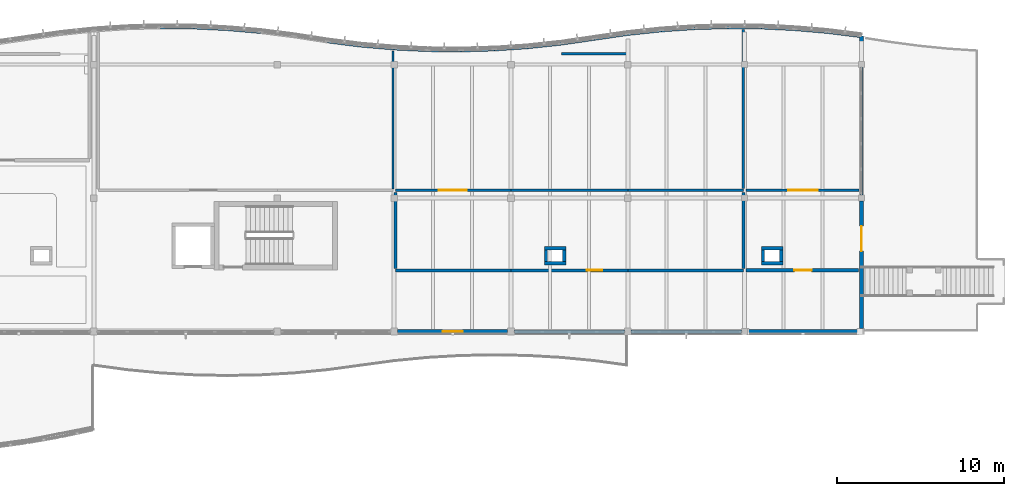
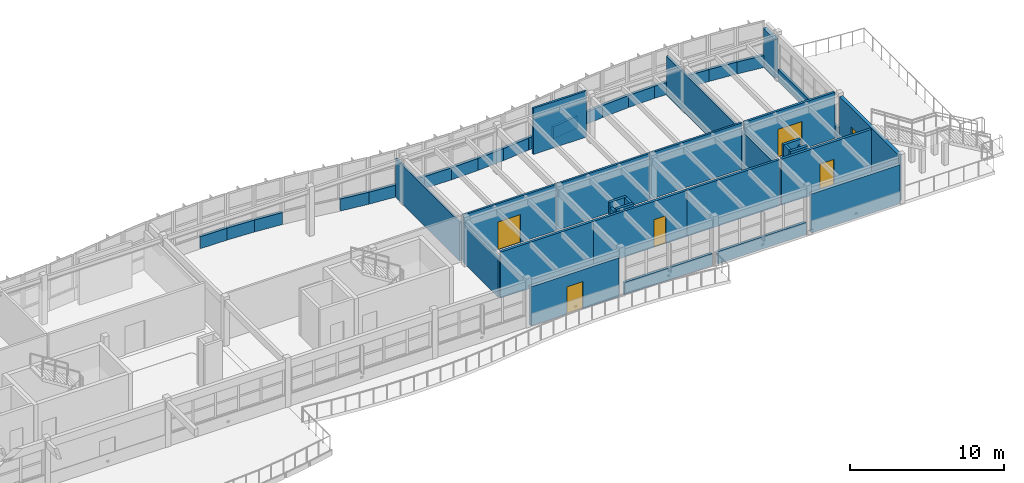
# One storey, part 33 of 52: 47 walls, 6 doors, 6 openings.
"""IFC4 building model written with IfcOpenShell, lengths in metres."""

from ifc_helpers import new_model, si_unit, direction, frame, frame_2d, origin, place, context, subcontext, project, spatial, rectangle, extrude, material, layer, layer_set, type_object, element, fill, save


model = new_model("IFC4")

# Units and contexts
model_context = context("Model", 3, precision=1e-05, world=origin(), true_north=direction((0.0, 1.0)))
body_context = subcontext(model_context, "Body", "Model", "MODEL_VIEW")
ifc_project = project(units=[si_unit("LENGTHUNIT", "METRE"), si_unit("AREAUNIT", "SQUARE_METRE"), si_unit("VOLUMEUNIT", "CUBIC_METRE"), si_unit("PLANEANGLEUNIT", "RADIAN"), si_unit("MASSUNIT", "GRAM", prefix="KILO")], contexts=[model_context])

# Site, building, storey
site_placement = place(None, origin())
site = spatial("IfcSite", under=ifc_project, at=site_placement, CompositionType="ELEMENT")
building_placement = place(site_placement, origin())
building = spatial("IfcBuilding", under=site, at=building_placement, Name="Tonlespit Floodbar School", CompositionType="ELEMENT")
storey_placement = place(building_placement, frame((0.0, 0.0, 12.300048828125)))
storey = spatial("IfcBuildingStorey", under=building, at=storey_placement, Name="L03", CompositionType="ELEMENT", Elevation=12.300048828125)

# Wall
ifc_material_1 = material(Name="Precast concrete C40/50", Category="concrete")
ifc_layer_1 = layer(ifc_material_1, 0.239990234375)
ifc_layer_set_1 = layer_set([ifc_layer_1], Name="Precast concrete C40/50")
wall_type_1 = type_object("IfcWallType", Name="ExtWall_Rainscreen_240", PredefinedType="SOLIDWALL", material=ifc_layer_set_1)
wall_1_placement = place(storey_placement, frame((162.0, 121.705810546875, 0.0), z_axis=(0.0, 0.0, 1.0), x_axis=(0.0, -1.0, 0.0)))
element("IfcWall", 1, at=wall_1_placement, inside=storey, type_object=wall_type_1, Name="L03 external wall 0653", PredefinedType="SOLIDWALL", context=body_context, shape_type="SweptSolid", body=[
    extrude(rectangle(XDim=1.52587890625, YDim=0.239990234375, at=frame_2d((0.762939453125, 0.0))), origin(), (0.0, 0.0, 1.0), 3.087890625),
])

# Wall, opening, door
wall_2_placement = place(storey_placement, frame((162.0, 111.820068359375, 0.0), z_axis=(0.0, 0.0, 1.0), x_axis=(0.0, -1.0, 0.0)))
wall_2 = element("IfcWall", 2, at=wall_2_placement, inside=storey, type_object=wall_type_1, Name="L03 external wall 0655", PredefinedType="SOLIDWALL", context=body_context, shape_type="SweptSolid", body=[
    extrude(rectangle(XDim=7.64013671875, YDim=0.239990234375, at=frame_2d((3.820068359375, 0.0))), origin(), (0.0, 0.0, 1.0), 3.64990234375),
])
opening_1_placement = place(wall_2_placement, frame((1.5, 0.0, 0.0)))
opening_1 = element("IfcOpeningElement", 3, at=opening_1_placement, cuts=wall_2, Name="Opening D-TR-034", PredefinedType="OPENING", context=body_context, shape_type="SweptSolid", body=[
    extrude(rectangle(XDim=1.5, YDim=2.14990234375, at=frame_2d((0.75, 1.074951171875))), frame((0.0, 0.1298828125, 0.0), z_axis=(0.0, -1.0, 0.0), x_axis=(1.0, 0.0, 0.0)), (0.0, 0.0, 1.0), 0.260009765625),
])
ifc_material_2 = material(Name="Anodised Aluminium", Category="aluminium")
door_type_1 = type_object("IfcDoorType", Name="ExtDoor_Terrace_1500x2150", OperationType="NOTDEFINED", PredefinedType="DOOR", material=ifc_material_2)
door_1_placement = place(opening_1_placement, origin())
door_1 = element("IfcDoor", 4, at=door_1_placement, inside=storey, type_object=door_type_1, Name="L03 exterior door D-TR-034", OperationType="SINGLE_SWING_RIGHT", OverallHeight=2.14990234375, OverallWidth=1.5, PredefinedType="DOOR", context=body_context, shape_type="SweptSolid", body=[
    extrude(rectangle(XDim=1.5, YDim=2.14990234375, at=frame_2d((0.75, 1.074951171875))), frame((0.0, 0.02490234375, 0.0), z_axis=(0.0, -1.0, 0.0), x_axis=(1.0, 0.0, 0.0)), (0.0, 0.0, 1.0), 0.050048828125),
])
fill(opening_1, door_1)

# Wall
wall_3_placement = place(storey_placement, frame((161.820068359375, 104.0, 0.0), z_axis=(0.0, 0.0, 1.0), x_axis=(-1.0, 0.0, 0.0)))
element("IfcWall", 5, at=wall_3_placement, inside=storey, type_object=wall_type_1, Name="L03 external wall 0656", PredefinedType="SOLIDWALL", context=body_context, shape_type="SweptSolid", body=[
    extrude(rectangle(XDim=6.64013671875, YDim=0.239990234375, at=frame_2d((3.320068359375, 0.0))), origin(), (0.0, 0.0, 1.0), 3.087890625),
])

# Wall, opening, door
wall_4_placement = place(storey_placement, frame((140.800048828125, 104.0, 0.0), z_axis=(0.0, 0.0, 1.0), x_axis=(-1.0, 0.0, 0.0)))
wall_4 = element("IfcWall", 6, at=wall_4_placement, inside=storey, type_object=wall_type_1, Name="L03 external wall 0659", PredefinedType="SOLIDWALL", context=body_context, shape_type="SweptSolid", body=[
    extrude(rectangle(XDim=6.60009765625, YDim=0.239990234375, at=frame_2d((3.300048828125, 0.0))), origin(), (0.0, 0.0, 1.0), 3.0849609375),
])
opening_2_placement = place(wall_4_placement, frame((2.699951171875, 0.0, 0.0)))
opening_2 = element("IfcOpeningElement", 7, at=opening_2_placement, cuts=wall_4, Name="Opening D-TR-035", PredefinedType="OPENING", context=body_context, shape_type="SweptSolid", body=[
    extrude(rectangle(XDim=1.199951171875, YDim=2.14990234375, at=frame_2d((0.60009765625, 1.074951171875))), frame((0.0, 0.1298828125, 0.0), z_axis=(0.0, -1.0, 0.0), x_axis=(1.0, 0.0, 0.0)), (0.0, 0.0, 1.0), 0.260009765625),
])
door_type_2 = type_object("IfcDoorType", Name="ExtDoor_Terrace_1200x2150", OperationType="NOTDEFINED", PredefinedType="DOOR", material=ifc_material_2)
door_2_placement = place(opening_2_placement, origin())
door_2 = element("IfcDoor", 8, at=door_2_placement, inside=storey, type_object=door_type_2, Name="L03 exterior door D-TR-035", OperationType="SINGLE_SWING_LEFT", OverallHeight=2.14990234375, OverallWidth=1.199951171875, PredefinedType="DOOR", context=body_context, shape_type="SweptSolid", body=[
    extrude(rectangle(XDim=1.199951171875, YDim=2.14990234375, at=frame_2d((0.60009765625, 1.074951171875))), frame((0.0, 0.02490234375, 0.0), z_axis=(0.0, -1.0, 0.0), x_axis=(1.0, 0.0, 0.0)), (0.0, 0.0, 1.0), 0.050048828125),
])
fill(opening_2, door_2)

# Walls
ifc_material_3 = material(Name="White Architectural Precast concrete C40/50", Category="concrete")
ifc_layer_2 = layer(ifc_material_3, 0.18505859375)
ifc_layer_set_2 = layer_set([ifc_layer_2], Name="White Architectural Precast concrete C40/50")
wall_type_2 = type_object("IfcWallType", Name="ExtWall_Spandrel_White_185", PredefinedType="SOLIDWALL", material=ifc_layer_set_2)
wall_5_placement = place(storey_placement, frame((162.0, 119.820068359375, 0.0), z_axis=(0.0, 0.0, 1.0), x_axis=(0.0, -1.0, 0.0)))
element("IfcWall", 9, at=wall_5_placement, inside=storey, type_object=wall_type_2, Name="L03 spandrel wall 0654", PredefinedType="SOLIDWALL", context=body_context, shape_type="SweptSolid", body=[
    extrude(rectangle(XDim=7.64013671875, YDim=0.18505859375, at=frame_2d((3.820068359375, 0.0))), origin(), (0.0, 0.0, 1.0), 0.949951171875),
])
ifc_layer_3 = layer(ifc_material_3, 0.199951171875)
ifc_layer_set_3 = layer_set([ifc_layer_3], Name="White Architectural Precast concrete C40/50")
wall_type_3 = type_object("IfcWallType", Name="ExtWall_Spandrel_White_200", PredefinedType="SOLIDWALL", material=ifc_layer_set_3)
wall_6_placement = place(storey_placement, frame((120.0, 122.2470703125, 0.0), z_axis=(0.0, 0.0, 1.0), x_axis=(0.999953504169, -0.009643106302, 0.0)))
element("IfcWall", 10, at=wall_6_placement, inside=storey, type_object=wall_type_3, Name="L03 spandrel wall 0632", PredefinedType="SOLIDWALL", context=body_context, shape_type="SweptSolid", body=[
    extrude(rectangle(XDim=2.0, YDim=0.199951171875, at=frame_2d((1.0, 0.0))), origin(), (0.0, 0.0, 1.0), 0.949951171875),
])
wall_7_placement = place(storey_placement, frame((122.0, 122.227783203125, 0.0), z_axis=(0.0, 0.0, 1.0), x_axis=(0.99884540439, -0.048040172037, 0.0)))
element("IfcWall", 11, at=wall_7_placement, inside=storey, type_object=wall_type_3, Name="L03 spandrel wall 0633", PredefinedType="SOLIDWALL", context=body_context, shape_type="SweptSolid", body=[
    extrude(rectangle(XDim=2.002197265625, YDim=0.199951171875, at=frame_2d((1.0009765625, 0.0))), origin(), (0.0, 0.0, 1.0), 0.949951171875),
])
wall_8_placement = place(storey_placement, frame((124.0, 122.131591796875, 0.0), z_axis=(0.0, 0.0, 1.0), x_axis=(0.996244237948, -0.086587633962, 0.0)))
element("IfcWall", 12, at=wall_8_placement, inside=storey, type_object=wall_type_3, Name="L03 spandrel wall 0634", PredefinedType="SOLIDWALL", context=body_context, shape_type="SweptSolid", body=[
    extrude(rectangle(XDim=2.007568359375, YDim=0.199951171875, at=frame_2d((1.00390625, 0.0))), origin(), (0.0, 0.0, 1.0), 0.949951171875),
])
wall_9_placement = place(storey_placement, frame((130.0, 121.394287109375, 0.0), z_axis=(0.0, 0.0, 1.0), x_axis=(0.992158168336, -0.124988675503, 0.0)))
element("IfcWall", 13, at=wall_9_placement, inside=storey, type_object=wall_type_3, Name="L03 spandrel wall 0637", PredefinedType="SOLIDWALL", context=body_context, shape_type="SweptSolid", body=[
    extrude(rectangle(XDim=2.015869140625, YDim=0.199951171875, at=frame_2d((1.0078125, 0.0))), origin(), (0.0, 0.0, 1.0), 0.949951171875),
])
wall_10_placement = place(storey_placement, frame((132.0, 121.142333984375, 0.0), z_axis=(0.0, 0.0, 1.0), x_axis=(0.996244237948, -0.086587633962, 0.0)))
element("IfcWall", 14, at=wall_10_placement, inside=storey, type_object=wall_type_3, Name="L03 spandrel wall 0638", PredefinedType="SOLIDWALL", context=body_context, shape_type="SweptSolid", body=[
    extrude(rectangle(XDim=2.007568359375, YDim=0.199951171875, at=frame_2d((1.00390625, 0.0))), origin(), (0.0, 0.0, 1.0), 0.949951171875),
])
wall_11_placement = place(storey_placement, frame((134.0, 120.968505859375, 0.0), z_axis=(0.0, 0.0, 1.0), x_axis=(0.99884540439, -0.048040172037, 0.0)))
element("IfcWall", 15, at=wall_11_placement, inside=storey, type_object=wall_type_3, Name="L03 spandrel wall 0639", PredefinedType="SOLIDWALL", context=body_context, shape_type="SweptSolid", body=[
    extrude(rectangle(XDim=2.002197265625, YDim=0.199951171875, at=frame_2d((1.0009765625, 0.0))), origin(), (0.0, 0.0, 1.0), 0.949951171875),
])
wall_12_placement = place(storey_placement, frame((136.0, 120.872314453125, 0.0), z_axis=(0.0, 0.0, 1.0), x_axis=(0.999953504169, -0.009643106302, 0.0)))
element("IfcWall", 16, at=wall_12_placement, inside=storey, type_object=wall_type_3, Name="L03 spandrel wall 0640", PredefinedType="SOLIDWALL", context=body_context, shape_type="SweptSolid", body=[
    extrude(rectangle(XDim=2.0, YDim=0.199951171875, at=frame_2d((1.0, 0.0))), origin(), (0.0, 0.0, 1.0), 0.949951171875),
])
wall_13_placement = place(storey_placement, frame((138.0, 120.85302734375, 0.0), z_axis=(0.0, 0.0, 1.0), x_axis=(0.999585290582, 0.028796646555, 0.0)))
element("IfcWall", 17, at=wall_13_placement, inside=storey, type_object=wall_type_3, Name="L03 spandrel wall 0641", PredefinedType="SOLIDWALL", context=body_context, shape_type="SweptSolid", body=[
    extrude(rectangle(XDim=2.000732421875, YDim=0.199951171875, at=frame_2d((1.00048828125, 0.0))), origin(), (0.0, 0.0, 1.0), 0.949951171875),
])
wall_14_placement = place(storey_placement, frame((140.0, 120.91064453125, 0.0), z_axis=(0.0, 0.0, 1.0), x_axis=(0.997729302978, 0.067351599676, 0.0)))
element("IfcWall", 18, at=wall_14_placement, inside=storey, type_object=wall_type_3, Name="L03 spandrel wall 0642", PredefinedType="SOLIDWALL", context=body_context, shape_type="SweptSolid", body=[
    extrude(rectangle(XDim=2.004638671875, YDim=0.199951171875, at=frame_2d((1.00244140625, 0.0))), origin(), (0.0, 0.0, 1.0), 0.949951171875),
])
wall_15_placement = place(storey_placement, frame((142.0, 121.045654296875, 0.0), z_axis=(0.0, 0.0, 1.0), x_axis=(0.994395160059, 0.105727317433, 0.0)))
element("IfcWall", 19, at=wall_15_placement, inside=storey, type_object=wall_type_3, Name="L03 spandrel wall 0643", PredefinedType="SOLIDWALL", context=body_context, shape_type="SweptSolid", body=[
    extrude(rectangle(XDim=2.01123046875, YDim=0.199951171875, at=frame_2d((1.005615234375, 0.0))), origin(), (0.0, 0.0, 1.0), 0.949951171875),
])
for number, where, z_axis, x_axis, name in (
    (20, (144.0, 121.25830078125, 0.0), (0.0, 0.0, 1.0), (0.989527230727, 0.144346318447, 0.0), "L03 spandrel wall 0644"),
    (21, (146.0, 121.550048828125, 0.0), (0.0, 0.0, 1.0), (0.989544477223, 0.144228040259, 0.0), "L03 spandrel wall 0645"),
):
    element("IfcWall", number, at=place(storey_placement, frame(where, z_axis=z_axis, x_axis=x_axis)), inside=storey, type_object=wall_type_3, Name=name, PredefinedType="SOLIDWALL", context=body_context, shape_type="SweptSolid", body=[
        extrude(rectangle(XDim=2.021240234375, YDim=0.199951171875, at=frame_2d((1.0107421875, 0.0))), origin(), (0.0, 0.0, 1.0), 0.949951171875),
    ])
wall_16_placement = place(storey_placement, frame((148.0, 121.841552734375, 0.0), z_axis=(0.0, 0.0, 1.0), x_axis=(0.994395160059, 0.105727317433, 0.0)))
element("IfcWall", 22, at=wall_16_placement, inside=storey, type_object=wall_type_3, Name="L03 spandrel wall 0646", PredefinedType="SOLIDWALL", context=body_context, shape_type="SweptSolid", body=[
    extrude(rectangle(XDim=2.01123046875, YDim=0.199951171875, at=frame_2d((1.005615234375, 0.0))), origin(), (0.0, 0.0, 1.0), 0.949951171875),
])
wall_17_placement = place(storey_placement, frame((150.0, 122.05419921875, 0.0), z_axis=(0.0, 0.0, 1.0), x_axis=(0.997729302978, 0.067351599676, 0.0)))
element("IfcWall", 23, at=wall_17_placement, inside=storey, type_object=wall_type_3, Name="L03 spandrel wall 0647", PredefinedType="SOLIDWALL", context=body_context, shape_type="SweptSolid", body=[
    extrude(rectangle(XDim=2.004638671875, YDim=0.199951171875, at=frame_2d((1.00244140625, 0.0))), origin(), (0.0, 0.0, 1.0), 0.949951171875),
])
wall_18_placement = place(storey_placement, frame((152.0, 122.189208984375, 0.0), z_axis=(0.0, 0.0, 1.0), x_axis=(0.999581770858, 0.028918564416, 0.0)))
element("IfcWall", 24, at=wall_18_placement, inside=storey, type_object=wall_type_3, Name="L03 spandrel wall 0648", PredefinedType="SOLIDWALL", context=body_context, shape_type="SweptSolid", body=[
    extrude(rectangle(XDim=2.000732421875, YDim=0.199951171875, at=frame_2d((1.00048828125, 0.0))), origin(), (0.0, 0.0, 1.0), 0.949951171875),
])
wall_19_placement = place(storey_placement, frame((154.0, 122.2470703125, 0.0), z_axis=(0.0, 0.0, 1.0), x_axis=(0.999953504169, -0.009643106302, 0.0)))
element("IfcWall", 25, at=wall_19_placement, inside=storey, type_object=wall_type_3, Name="L03 spandrel wall 0649", PredefinedType="SOLIDWALL", context=body_context, shape_type="SweptSolid", body=[
    extrude(rectangle(XDim=2.0, YDim=0.199951171875, at=frame_2d((1.0, 0.0))), origin(), (0.0, 0.0, 1.0), 0.949951171875),
])
wall_20_placement = place(storey_placement, frame((156.0, 122.227783203125, 0.0), z_axis=(0.0, 0.0, 1.0), x_axis=(0.99884540439, -0.048040172037, 0.0)))
element("IfcWall", 26, at=wall_20_placement, inside=storey, type_object=wall_type_3, Name="L03 spandrel wall 0650", PredefinedType="SOLIDWALL", context=body_context, shape_type="SweptSolid", body=[
    extrude(rectangle(XDim=2.002197265625, YDim=0.199951171875, at=frame_2d((1.0009765625, 0.0))), origin(), (0.0, 0.0, 1.0), 0.949951171875),
])
wall_21_placement = place(storey_placement, frame((158.0, 122.131591796875, 0.0), z_axis=(0.0, 0.0, 1.0), x_axis=(0.996244237948, -0.086587633962, 0.0)))
element("IfcWall", 27, at=wall_21_placement, inside=storey, type_object=wall_type_3, Name="L03 spandrel wall 0651", PredefinedType="SOLIDWALL", context=body_context, shape_type="SweptSolid", body=[
    extrude(rectangle(XDim=2.007568359375, YDim=0.199951171875, at=frame_2d((1.00390625, 0.0))), origin(), (0.0, 0.0, 1.0), 0.949951171875),
])
wall_22_placement = place(storey_placement, frame((160.0, 121.957763671875, 0.0), z_axis=(0.0, 0.0, 1.0), x_axis=(0.992158168336, -0.124988675503, 0.0)))
element("IfcWall", 28, at=wall_22_placement, inside=storey, type_object=wall_type_3, Name="L03 spandrel wall 0652", PredefinedType="SOLIDWALL", context=body_context, shape_type="SweptSolid", body=[
    extrude(rectangle(XDim=2.015869140625, YDim=0.199951171875, at=frame_2d((1.0078125, 0.0))), origin(), (0.0, 0.0, 1.0), 0.949951171875),
])
wall_23_placement = place(storey_placement, frame((154.820068359375, 104.0, 0.0), z_axis=(0.0, 0.0, 1.0), x_axis=(-1.0, 0.0, 0.0)))
element("IfcWall", 29, at=wall_23_placement, inside=storey, type_object=wall_type_3, Name="L03 spandrel wall 0657", PredefinedType="SOLIDWALL", context=body_context, shape_type="SweptSolid", body=[
    extrude(rectangle(XDim=6.6201171875, YDim=0.199951171875, at=frame_2d((3.31005859375, 0.0))), origin(), (0.0, 0.0, 1.0), 0.949951171875),
])
wall_24_placement = place(storey_placement, frame((147.800048828125, 104.0, 0.0), z_axis=(0.0, 0.0, 1.0), x_axis=(-1.0, 0.0, 0.0)))
element("IfcWall", 30, at=wall_24_placement, inside=storey, type_object=wall_type_3, Name="L03 spandrel wall 0658", PredefinedType="SOLIDWALL", context=body_context, shape_type="SweptSolid", body=[
    extrude(rectangle(XDim=6.60009765625, YDim=0.199951171875, at=frame_2d((3.300048828125, 0.0))), origin(), (0.0, 0.0, 1.0), 0.949951171875),
])
ifc_material_4 = material(Name="Concrete C40/50", Category="concrete")
ifc_layer_4 = layer(ifc_material_4, 0.199951171875)
ifc_layer_set_4 = layer_set([ifc_layer_4], Name="Concrete C40/50")
wall_type_4 = type_object("IfcWallType", Name="FireWall_Plant_200", PredefinedType="PARTITIONING", material=ifc_layer_set_4)
for number, where, z_axis, x_axis, name in (
    (31, (144.300048828125, 108.10009765625, 0.0), (0.0, 0.0, 1.0), (-1.0, 0.0, 0.0), "L03 service riser 05 wall S"),
    (32, (143.0, 109.0, 0.0), (0.0, 0.0, 1.0), (1.0, 0.0, 0.0), "L03 service riser 05 wall N"),
):
    element("IfcWall", number, at=place(storey_placement, frame(where, z_axis=z_axis, x_axis=x_axis)), inside=storey, type_object=wall_type_4, Name=name, PredefinedType="PARTITIONING", context=body_context, shape_type="SweptSolid", body=[
        extrude(rectangle(XDim=1.300048828125, YDim=0.199951171875, at=frame_2d((0.64990234375, 0.0))), origin(), (0.0, 0.0, 1.0), 3.64990234375),
    ])
wall_25_placement = place(storey_placement, frame((143.10009765625, 108.199951171875, 0.0), z_axis=(0.0, 0.0, 1.0), x_axis=(0.0, 1.0, 0.0)))
element("IfcWall", 33, at=wall_25_placement, inside=storey, type_object=wall_type_4, Name="L03 service riser 05 wall W", PredefinedType="PARTITIONING", context=body_context, shape_type="SweptSolid", body=[
    extrude(rectangle(XDim=0.699951171875, YDim=0.199951171875, at=frame_2d((0.35009765625, 0.0))), origin(), (0.0, 0.0, 1.0), 3.244873046875),
])
wall_26_placement = place(storey_placement, frame((144.199951171875, 108.89990234375, 0.0), z_axis=(0.0, 0.0, 1.0), x_axis=(0.0, -1.0, 0.0)))
element("IfcWall", 34, at=wall_26_placement, inside=storey, type_object=wall_type_4, Name="L03 service riser 05 wall E", PredefinedType="PARTITIONING", context=body_context, shape_type="SweptSolid", body=[
    extrude(rectangle(XDim=0.699951171875, YDim=0.199951171875, at=frame_2d((0.35009765625, 0.0))), origin(), (0.0, 0.0, 1.0), 3.64990234375),
])
for number, where, z_axis, x_axis, name in (
    (35, (157.300048828125, 108.10009765625, 0.0), (0.0, 0.0, 1.0), (-1.0, 0.0, 0.0), "L03 service riser 07 wall S"),
    (36, (156.0, 109.0, 0.0), (0.0, 0.0, 1.0), (1.0, 0.0, 0.0), "L03 service riser 07 wall N"),
):
    element("IfcWall", number, at=place(storey_placement, frame(where, z_axis=z_axis, x_axis=x_axis)), inside=storey, type_object=wall_type_4, Name=name, PredefinedType="PARTITIONING", context=body_context, shape_type="SweptSolid", body=[
        extrude(rectangle(XDim=1.300048828125, YDim=0.199951171875, at=frame_2d((0.64990234375, 0.0))), origin(), (0.0, 0.0, 1.0), 3.64990234375),
    ])
wall_27_placement = place(storey_placement, frame((156.10009765625, 108.199951171875, 0.0), z_axis=(0.0, 0.0, 1.0), x_axis=(0.0, 1.0, 0.0)))
element("IfcWall", 37, at=wall_27_placement, inside=storey, type_object=wall_type_4, Name="L03 service riser 07 wall W", PredefinedType="PARTITIONING", context=body_context, shape_type="SweptSolid", body=[
    extrude(rectangle(XDim=0.699951171875, YDim=0.199951171875, at=frame_2d((0.35009765625, 0.0))), origin(), (0.0, 0.0, 1.0), 3.64990234375),
])
wall_28_placement = place(storey_placement, frame((157.199951171875, 108.89990234375, 0.0), z_axis=(0.0, 0.0, 1.0), x_axis=(0.0, -1.0, 0.0)))
element("IfcWall", 38, at=wall_28_placement, inside=storey, type_object=wall_type_4, Name="L03 service riser 07 wall E", PredefinedType="PARTITIONING", context=body_context, shape_type="SweptSolid", body=[
    extrude(rectangle(XDim=0.699951171875, YDim=0.199951171875, at=frame_2d((0.35009765625, 0.0))), origin(), (0.0, 0.0, 1.0), 3.248046875),
])
ifc_material_5 = material(Name="Gypsum Plasterboard Partition")
ifc_layer_5 = layer(ifc_material_5, 0.139892578125)
ifc_layer_set_5 = layer_set([ifc_layer_5], Name="Gypsum Plasterboard Partition")
wall_type_5 = type_object("IfcWallType", Name="Partition_Gyp_140", PredefinedType="PARTITIONING", material=ifc_layer_set_5)
wall_29_placement = place(storey_placement, frame((133.929931640625, 112.554931640625, 0.0), z_axis=(0.0, 0.0, 1.0), x_axis=(0.0, 1.0, 0.0)))
element("IfcWall", 39, at=wall_29_placement, inside=storey, type_object=wall_type_5, Name="L03 partition wall 0411", PredefinedType="PARTITIONING", context=body_context, shape_type="SweptSolid", body=[
    extrude(rectangle(XDim=8.27490234375, YDim=0.139892578125, at=frame_2d((4.137451171875, 0.0))), origin(), (0.0, 0.0, 1.0), 3.0849609375),
])

# Wall, opening, door
ifc_layer_6 = layer(ifc_material_5, 0.14990234375)
ifc_layer_set_6 = layer_set([ifc_layer_6], Name="Gypsum Plasterboard Partition")
wall_type_6 = type_object("IfcWallType", Name="Partition_Gyp_150", PredefinedType="PARTITIONING", material=ifc_layer_set_6)
wall_30_placement = place(storey_placement, frame((134.070068359375, 112.469970703125, 0.0), z_axis=(0.0, 0.0, 1.0), x_axis=(1.0, 0.0, 0.0)))
wall_30 = element("IfcWall", 40, at=wall_30_placement, inside=storey, type_object=wall_type_6, Name="L03 partition wall 0412", PredefinedType="PARTITIONING", context=body_context, shape_type="SweptSolid", body=[
    extrude(rectangle(XDim=6.929931640625, YDim=0.14990234375, at=frame_2d((3.46484375, 0.0))), origin(), (0.0, 0.0, 1.0), 3.64990234375),
])
opening_3_placement = place(wall_30_placement, frame((2.590087890625, 0.0, 0.0)))
opening_3 = element("IfcOpeningElement", 41, at=opening_3_placement, cuts=wall_30, Name="Opening D-L03-112", PredefinedType="OPENING", context=body_context, shape_type="SweptSolid", body=[
    extrude(rectangle(XDim=1.679931640625, YDim=2.199951171875, at=frame_2d((0.83984375, 1.10009765625))), frame((0.0, 0.0849609375, 0.0), z_axis=(0.0, -1.0, 0.0), x_axis=(1.0, 0.0, 0.0)), (0.0, 0.0, 1.0), 0.169921875),
])
ifc_material_6 = material(Name="Hardwood Timber", Category="wood")
door_type_3 = type_object("IfcDoorType", Name="IntDoor_1680x2200", OperationType="NOTDEFINED", PredefinedType="DOOR", material=ifc_material_6)
door_3_placement = place(opening_3_placement, origin())
door_3 = element("IfcDoor", 42, at=door_3_placement, inside=storey, type_object=door_type_3, Name="L03 interior door D-L03-112", OperationType="SINGLE_SWING_LEFT", OverallHeight=2.199951171875, OverallWidth=1.679931640625, PredefinedType="DOOR", context=body_context, shape_type="SweptSolid", body=[
    extrude(rectangle(XDim=1.679931640625, YDim=2.199951171875, at=frame_2d((0.83984375, 1.10009765625))), frame((0.0, 0.02490234375, 0.0), z_axis=(0.0, -1.0, 0.0), x_axis=(1.0, 0.0, 0.0)), (0.0, 0.0, 1.0), 0.050048828125),
])
fill(opening_3, door_3)

# Walls
wall_31_placement = place(storey_placement, frame((141.0, 112.469970703125, 0.0), z_axis=(0.0, 0.0, 1.0), x_axis=(1.0, 0.0, 0.0)))
element("IfcWall", 43, at=wall_31_placement, inside=storey, type_object=wall_type_6, Name="L03 partition wall 0413", PredefinedType="PARTITIONING", context=body_context, shape_type="SweptSolid", body=[
    extrude(rectangle(XDim=7.0, YDim=0.14990234375, at=frame_2d((3.5, 0.0))), origin(), (0.0, 0.0, 1.0), 3.64990234375),
])
wall_32_placement = place(storey_placement, frame((148.0, 112.469970703125, 0.0), z_axis=(0.0, 0.0, 1.0), x_axis=(1.0, 0.0, 0.0)))
element("IfcWall", 44, at=wall_32_placement, inside=storey, type_object=wall_type_6, Name="L03 partition wall 0414", PredefinedType="PARTITIONING", context=body_context, shape_type="SweptSolid", body=[
    extrude(rectangle(XDim=6.929931640625, YDim=0.14990234375, at=frame_2d((3.46484375, 0.0))), origin(), (0.0, 0.0, 1.0), 3.64990234375),
])
wall_33_placement = place(storey_placement, frame((144.02001953125, 120.64794921875, 0.0), z_axis=(0.0, 0.0, 1.0), x_axis=(1.0, 0.0, 0.0)))
element("IfcWall", 45, at=wall_33_placement, inside=storey, type_object=wall_type_6, Name="L03 partition wall 0415", PredefinedType="PARTITIONING", context=body_context, shape_type="SweptSolid", body=[
    extrude(rectangle(XDim=3.97998046875, YDim=0.14990234375, at=frame_2d((1.989990234375, 0.0))), origin(), (0.0, 0.0, 1.0), 3.64990234375),
])
wall_34_placement = place(storey_placement, frame((154.929931640625, 112.56005859375, 0.0), z_axis=(0.0, 0.0, 1.0), x_axis=(0.0, 1.0, 0.0)))
element("IfcWall", 46, at=wall_34_placement, inside=storey, type_object=wall_type_6, Name="L03 partition wall 0416", PredefinedType="PARTITIONING", context=body_context, shape_type="SweptSolid", body=[
    extrude(rectangle(XDim=9.5361328125, YDim=0.14990234375, at=frame_2d((4.76806640625, 0.0))), origin(), (0.0, 0.0, 1.0), 3.087890625),
])

# Wall, opening, door
ifc_layer_7 = layer(ifc_material_5, 0.169921875)
ifc_layer_set_7 = layer_set([ifc_layer_7], Name="Gypsum Plasterboard Partition")
wall_type_7 = type_object("IfcWallType", Name="Partition_Gyp_170", PredefinedType="PARTITIONING", material=ifc_layer_set_7)
wall_35_placement = place(storey_placement, frame((155.070068359375, 112.469970703125, 0.0), z_axis=(0.0, 0.0, 1.0), x_axis=(1.0, 0.0, 0.0)))
wall_35 = element("IfcWall", 47, at=wall_35_placement, inside=storey, type_object=wall_type_7, Name="L03 partition wall 0417", PredefinedType="PARTITIONING", context=body_context, shape_type="SweptSolid", body=[
    extrude(rectangle(XDim=6.79541015625, YDim=0.169921875, at=frame_2d((3.397705078125, 0.0))), origin(), (0.0, 0.0, 1.0), 3.64990234375),
])
opening_4_placement = place(wall_35_placement, frame((2.550048828125, 0.0, 0.0)))
opening_4 = element("IfcOpeningElement", 48, at=opening_4_placement, cuts=wall_35, Name="Opening D-L03-113", PredefinedType="OPENING", context=body_context, shape_type="SweptSolid", body=[
    extrude(rectangle(XDim=1.760009765625, YDim=2.199951171875, at=frame_2d((0.8798828125, 1.10009765625))), frame((0.0, 0.094970703125, 0.0), z_axis=(0.0, -1.0, 0.0), x_axis=(1.0, 0.0, 0.0)), (0.0, 0.0, 1.0), 0.18994140625),
])
door_type_4 = type_object("IfcDoorType", Name="IntDoor_1760x2200", OperationType="NOTDEFINED", PredefinedType="DOOR", material=ifc_material_6)
door_4_placement = place(opening_4_placement, origin())
door_4 = element("IfcDoor", 49, at=door_4_placement, inside=storey, type_object=door_type_4, Name="L03 interior door D-L03-113", OperationType="SINGLE_SWING_RIGHT", OverallHeight=2.199951171875, OverallWidth=1.760009765625, PredefinedType="DOOR", context=body_context, shape_type="SweptSolid", body=[
    extrude(rectangle(XDim=1.760009765625, YDim=2.199951171875, at=frame_2d((0.8798828125, 1.10009765625))), frame((0.0, 0.02490234375, 0.0), z_axis=(0.0, -1.0, 0.0), x_axis=(1.0, 0.0, 0.0)), (0.0, 0.0, 1.0), 0.050048828125),
])
fill(opening_4, door_4)

# Wall
ifc_layer_8 = layer(ifc_material_5, 0.18505859375)
ifc_layer_set_8 = layer_set([ifc_layer_8], Name="Gypsum Plasterboard Partition")
wall_type_8 = type_object("IfcWallType", Name="Partition_Gyp_185", PredefinedType="PARTITIONING", material=ifc_layer_set_8)
wall_36_placement = place(storey_placement, frame((134.070068359375, 107.669921875, 0.0), z_axis=(0.0, 0.0, 1.0), x_axis=(1.0, 0.0, 0.0)))
element("IfcWall", 50, at=wall_36_placement, inside=storey, type_object=wall_type_8, Name="L03 partition wall 0418", PredefinedType="PARTITIONING", context=body_context, shape_type="SweptSolid", body=[
    extrude(rectangle(XDim=6.929931640625, YDim=0.18505859375, at=frame_2d((3.46484375, 0.0))), origin(), (0.0, 0.0, 1.0), 3.64990234375),
])

# Wall, opening, door
wall_37_placement = place(storey_placement, frame((141.0, 107.669921875, 0.0), z_axis=(0.0, 0.0, 1.0), x_axis=(1.0, 0.0, 0.0)))
wall_37 = element("IfcWall", 51, at=wall_37_placement, inside=storey, type_object=wall_type_8, Name="L03 partition wall 0419", PredefinedType="PARTITIONING", context=body_context, shape_type="SweptSolid", body=[
    extrude(rectangle(XDim=7.0, YDim=0.18505859375, at=frame_2d((3.5, 0.0))), origin(), (0.0, 0.0, 1.0), 3.64990234375),
])
opening_5_placement = place(wall_37_placement, frame((4.5400390625, 0.0, 0.0)))
opening_5 = element("IfcOpeningElement", 52, at=opening_5_placement, cuts=wall_37, Name="Opening D-L03-114", PredefinedType="OPENING", context=body_context, shape_type="SweptSolid", body=[
    extrude(rectangle(XDim=0.919921875, YDim=2.199951171875, at=frame_2d((0.4599609375, 1.10009765625))), frame((0.0, 0.1025390625, 0.0), z_axis=(0.0, -1.0, 0.0), x_axis=(1.0, 0.0, 0.0)), (0.0, 0.0, 1.0), 0.205078125),
])
door_type_5 = type_object("IfcDoorType", Name="IntDoor_920x2200", OperationType="NOTDEFINED", PredefinedType="DOOR", material=ifc_material_6)
door_5_placement = place(opening_5_placement, origin())
door_5 = element("IfcDoor", 53, at=door_5_placement, inside=storey, type_object=door_type_5, Name="L03 interior door D-L03-114", OperationType="SINGLE_SWING_LEFT", OverallHeight=2.199951171875, OverallWidth=0.919921875, PredefinedType="DOOR", context=body_context, shape_type="SweptSolid", body=[
    extrude(rectangle(XDim=0.919921875, YDim=2.199951171875, at=frame_2d((0.4599609375, 1.10009765625))), frame((0.0, 0.02490234375, 0.0), z_axis=(0.0, -1.0, 0.0), x_axis=(1.0, 0.0, 0.0)), (0.0, 0.0, 1.0), 0.050048828125),
])
fill(opening_5, door_5)

# Walls
wall_38_placement = place(storey_placement, frame((148.0, 107.669921875, 0.0), z_axis=(0.0, 0.0, 1.0), x_axis=(1.0, 0.0, 0.0)))
element("IfcWall", 54, at=wall_38_placement, inside=storey, type_object=wall_type_8, Name="L03 partition wall 0420", PredefinedType="PARTITIONING", context=body_context, shape_type="SweptSolid", body=[
    extrude(rectangle(XDim=6.929931640625, YDim=0.18505859375, at=frame_2d((3.46484375, 0.0))), origin(), (0.0, 0.0, 1.0), 3.64990234375),
])
wall_39_placement = place(storey_placement, frame((134.070068359375, 107.777587890625, 0.0), z_axis=(0.0, 0.0, 1.0), x_axis=(0.0, 1.0, 0.0)))
element("IfcWall", 55, at=wall_39_placement, inside=storey, type_object=wall_type_8, Name="L03 partition wall 0421", PredefinedType="PARTITIONING", context=body_context, shape_type="SweptSolid", body=[
    extrude(rectangle(XDim=4.552490234375, YDim=0.18505859375, at=frame_2d((2.2763671875, 0.0))), origin(), (0.0, 0.0, 1.0), 3.0849609375),
])
wall_40_placement = place(storey_placement, frame((154.929931640625, 107.777587890625, 0.0), z_axis=(0.0, 0.0, 1.0), x_axis=(0.0, 1.0, 0.0)))
element("IfcWall", 56, at=wall_40_placement, inside=storey, type_object=wall_type_8, Name="L03 partition wall 0422", PredefinedType="PARTITIONING", context=body_context, shape_type="SweptSolid", body=[
    extrude(rectangle(XDim=4.552490234375, YDim=0.18505859375, at=frame_2d((2.2763671875, 0.0))), origin(), (0.0, 0.0, 1.0), 3.087890625),
])

# Wall, opening, door
ifc_layer_9 = layer(ifc_material_5, 0.195068359375)
ifc_layer_set_9 = layer_set([ifc_layer_9], Name="Gypsum Plasterboard Partition")
wall_type_9 = type_object("IfcWallType", Name="Partition_Gyp_195", PredefinedType="PARTITIONING", material=ifc_layer_set_9)
wall_41_placement = place(storey_placement, frame((155.070068359375, 107.669921875, 0.0), z_axis=(0.0, 0.0, 1.0), x_axis=(1.0, 0.0, 0.0)))
wall_41 = element("IfcWall", 57, at=wall_41_placement, inside=storey, type_object=wall_type_9, Name="L03 partition wall 0423", PredefinedType="PARTITIONING", context=body_context, shape_type="SweptSolid", body=[
    extrude(rectangle(XDim=6.767822265625, YDim=0.195068359375, at=frame_2d((3.3837890625, 0.0))), origin(), (0.0, 0.0, 1.0), 3.64990234375),
])
opening_6_placement = place(wall_41_placement, frame((2.909912109375, 0.0, 0.0)))
opening_6 = element("IfcOpeningElement", 58, at=opening_6_placement, cuts=wall_41, Name="Opening D-L03-115", PredefinedType="OPENING", context=body_context, shape_type="SweptSolid", body=[
    extrude(rectangle(XDim=1.0400390625, YDim=2.25, at=frame_2d((0.52001953125, 1.125))), frame((0.0, 0.107421875, 0.0), z_axis=(0.0, -1.0, 0.0), x_axis=(1.0, 0.0, 0.0)), (0.0, 0.0, 1.0), 0.215087890625),
])
door_type_6 = type_object("IfcDoorType", Name="IntDoor_1040x2250", OperationType="NOTDEFINED", PredefinedType="DOOR", material=ifc_material_6)
door_6_placement = place(opening_6_placement, origin())
door_6 = element("IfcDoor", 59, at=door_6_placement, inside=storey, type_object=door_type_6, Name="L03 interior door D-L03-115", OperationType="SINGLE_SWING_RIGHT", OverallHeight=2.25, OverallWidth=1.0400390625, PredefinedType="DOOR", context=body_context, shape_type="SweptSolid", body=[
    extrude(rectangle(XDim=1.0400390625, YDim=2.25, at=frame_2d((0.52001953125, 1.125))), frame((0.0, 0.02490234375, 0.0), z_axis=(0.0, -1.0, 0.0), x_axis=(1.0, 0.0, 0.0)), (0.0, 0.0, 1.0), 0.050048828125),
])
fill(opening_6, door_6)

save(model, "model.ifc")
